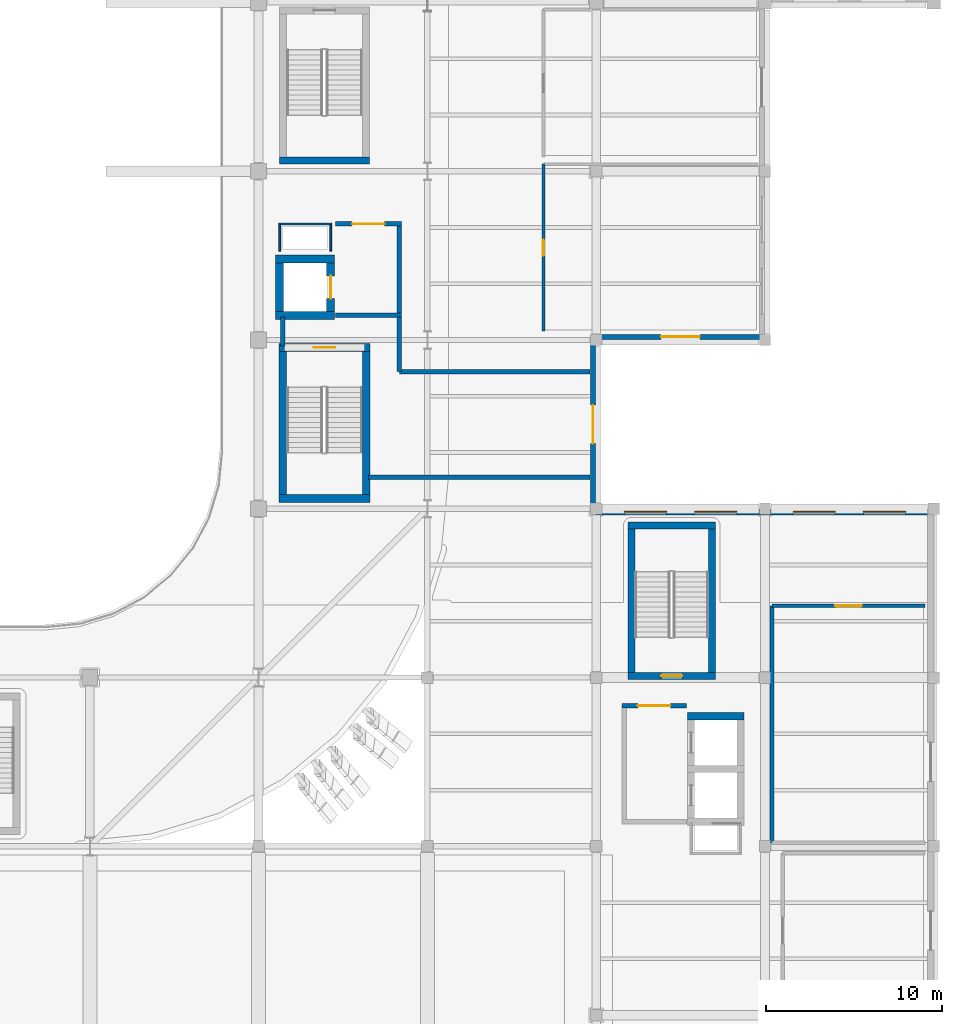
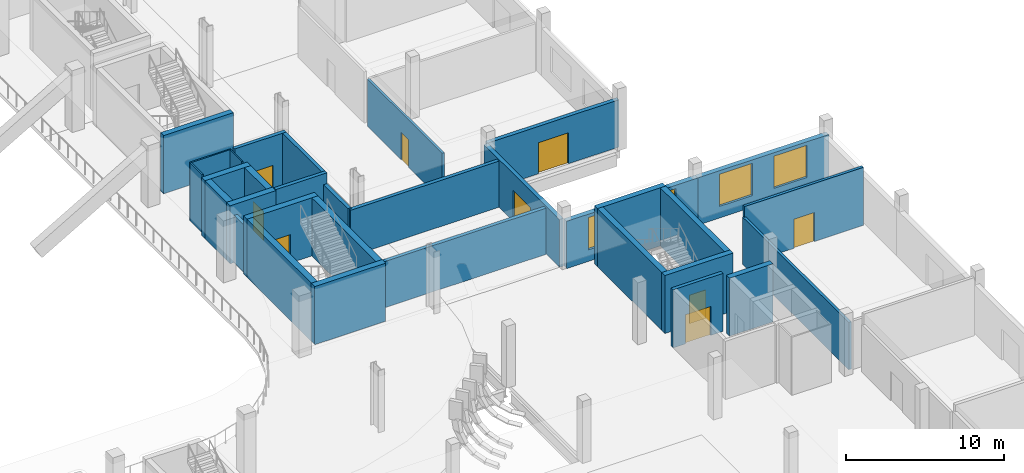
# One storey, part 54 of 100: 32 walls, 9 doors, 4 windows, 13 openings.
"""IFC4 building model written with IfcOpenShell, lengths in metres."""

from ifc_helpers import new_model, si_unit, direction, frame, frame_2d, origin, place, context, subcontext, project, spatial, rectangle, extrude, material, layer, layer_set, type_object, element, fill, save


model = new_model("IFC4")

# Units and contexts
model_context = context("Model", 3, precision=1e-05, world=origin(), true_north=direction((0.0, 1.0)))
body_context = subcontext(model_context, "Body", "Model", "MODEL_VIEW")
ifc_project = project(units=[si_unit("LENGTHUNIT", "METRE"), si_unit("AREAUNIT", "SQUARE_METRE"), si_unit("VOLUMEUNIT", "CUBIC_METRE"), si_unit("PLANEANGLEUNIT", "RADIAN"), si_unit("MASSUNIT", "GRAM", prefix="KILO")], contexts=[model_context])

# Site, building, storey
site_placement = place(None, origin())
site = spatial("IfcSite", under=ifc_project, at=site_placement, CompositionType="ELEMENT")
building_placement = place(site_placement, origin())
building = spatial("IfcBuilding", under=site, at=building_placement, Name="Caelomonte Colonnade Arena", CompositionType="ELEMENT")
storey_placement = place(building_placement, origin())
storey = spatial("IfcBuildingStorey", under=building, at=storey_placement, Name="L00", CompositionType="ELEMENT", Elevation=0.0)

# Wall, opening, door
ifc_material_1 = material(Name="Precast concrete C40/50", Category="concrete")
ifc_layer_1 = layer(ifc_material_1, 0.2900390625)
ifc_layer_set_1 = layer_set([ifc_layer_1], Name="Precast concrete C40/50")
wall_type_1 = type_object("IfcWallType", Name="ENV-WL-EXT29", PredefinedType="SOLIDWALL", material=ifc_layer_set_1)
wall_1_placement = place(storey_placement, frame((172.6201171875, 38.39990234375, 0.0), z_axis=(0.0, 0.0, 1.0), x_axis=(0.0, 1.0, 0.0)))
wall_1 = element("IfcWall", 1, at=wall_1_placement, inside=storey, type_object=wall_type_1, Name="L00 exterior wall EW-L00-0135", PredefinedType="SOLIDWALL", context=body_context, shape_type="SweptSolid", body=[
    extrude(rectangle(XDim=9.60009765625, YDim=0.2900390625, at=frame_2d((4.800048828125, 0.0))), origin(), (0.0, 0.0, 1.0), 3.699951171875),
])
opening_1_placement = place(wall_1_placement, frame((5.89990234375, 0.0, 0.0), z_axis=(0.0, 0.0, 1.0), x_axis=(-1.0, 0.0, 0.0)))
opening_1 = element("IfcOpeningElement", 2, at=opening_1_placement, cuts=wall_1, Name="Opening G15", PredefinedType="OPENING", context=body_context, shape_type="SweptSolid", body=[
    extrude(rectangle(XDim=2.199951171875, YDim=2.39990234375, at=frame_2d((1.10009765625, 1.199951171875))), frame((0.0, 0.155029296875, 0.0), z_axis=(0.0, -1.0, 0.0), x_axis=(1.0, 0.0, 0.0)), (0.0, 0.0, 1.0), 0.31005859375),
])
ifc_material_2 = material(Name="Painted galvanized hollow metal")
door_type_1 = type_object("IfcDoorType", Name="ENV-DR-G2", OperationType="DOUBLE_DOOR_SINGLE_SWING", PredefinedType="DOOR", material=ifc_material_2)
door_1_placement = place(opening_1_placement, origin())
door_1 = element("IfcDoor", 3, at=door_1_placement, inside=storey, type_object=door_type_1, Name="Pedestrian exit gate G15", OperationType="DOUBLE_DOOR_SINGLE_SWING", OverallHeight=2.39990234375, OverallWidth=2.199951171875, PredefinedType="DOOR", context=body_context, shape_type="SweptSolid", body=[
    extrude(rectangle(XDim=2.199951171875, YDim=2.39990234375, at=frame_2d((1.10009765625, 1.199951171875))), frame((0.0, 0.02490234375, 0.0), z_axis=(0.0, -1.0, 0.0), x_axis=(1.0, 0.0, 0.0)), (0.0, 0.0, 1.0), 0.050048828125),
])
fill(opening_1, door_1)

wall_2_placement = place(storey_placement, frame((172.800048828125, 48.179931640625, 0.0), z_axis=(0.0, 0.0, 1.0), x_axis=(1.0, 0.0, 0.0)))
wall_2 = element("IfcWall", 4, at=wall_2_placement, inside=storey, type_object=wall_type_1, Name="L00 exterior wall EW-L00-0136", PredefinedType="SOLIDWALL", context=body_context, shape_type="SweptSolid", body=[
    extrude(rectangle(XDim=9.599853515625, YDim=0.2900390625, at=frame_2d((4.7998046875, 0.0))), origin(), (0.0, 0.0, 1.0), 3.664306640625),
])
opening_2_placement = place(wall_2_placement, frame((5.89990234375, 0.0, 0.0), z_axis=(0.0, 0.0, 1.0), x_axis=(-1.0, 0.0, 0.0)))
opening_2 = element("IfcOpeningElement", 5, at=opening_2_placement, cuts=wall_2, Name="Opening G16", PredefinedType="OPENING", context=body_context, shape_type="SweptSolid", body=[
    extrude(rectangle(XDim=2.199951171875, YDim=2.39990234375, at=frame_2d((1.10009765625, 1.199951171875))), frame((0.0, 0.155029296875, 0.0), z_axis=(0.0, -1.0, 0.0), x_axis=(1.0, 0.0, 0.0)), (0.0, 0.0, 1.0), 0.31005859375),
])
door_2_placement = place(opening_2_placement, origin())
door_2 = element("IfcDoor", 6, at=door_2_placement, inside=storey, type_object=door_type_1, Name="Pedestrian exit gate G16", OperationType="DOUBLE_DOOR_SINGLE_SWING", OverallHeight=2.39990234375, OverallWidth=2.199951171875, PredefinedType="DOOR", context=body_context, shape_type="SweptSolid", body=[
    extrude(rectangle(XDim=2.199951171875, YDim=2.39990234375, at=frame_2d((1.10009765625, 1.199951171875))), frame((0.0, 0.02490234375, 0.0), z_axis=(0.0, -1.0, 0.0), x_axis=(1.0, 0.0, 0.0)), (0.0, 0.0, 1.0), 0.050048828125),
])
fill(opening_2, door_2)

# Wall, openings, windows
ifc_layer_2 = layer(ifc_material_1, 0.360107421875)
ifc_layer_set_2 = layer_set([ifc_layer_2], Name="Precast concrete C40/50")
wall_type_2 = type_object("IfcWallType", Name="ENV-WL-EXT36", PredefinedType="SOLIDWALL", material=ifc_layer_set_2)
wall_3_placement = place(storey_placement, frame((192.0, 38.219970703125, 0.0), z_axis=(0.0, 0.0, 1.0), x_axis=(-1.0, 0.0, 0.0)))
wall_3 = element("IfcWall", 7, at=wall_3_placement, inside=storey, type_object=wall_type_2, Name="L00 exterior wall EW-L00-0133", PredefinedType="SOLIDWALL", context=body_context, shape_type="SweptSolid", body=[
    extrude(rectangle(XDim=9.60009765625, YDim=0.360107421875, at=frame_2d((4.800048828125, 0.0))), origin(), (0.0, 0.0, 1.0), 3.664306640625),
])
opening_3_placement = place(wall_3_placement, frame((4.0, 0.0, 0.89990234375), z_axis=(0.0, 0.0, 1.0), x_axis=(-1.0, 0.0, 0.0)))
opening_3 = element("IfcOpeningElement", 8, at=opening_3_placement, cuts=wall_3, Name="Opening WN-01", PredefinedType="OPENING", context=body_context, shape_type="SweptSolid", body=[
    extrude(rectangle(XDim=2.39990234375, YDim=2.5, at=frame_2d((1.199951171875, 1.25))), frame((0.0, 0.18994140625, 0.0), z_axis=(0.0, -1.0, 0.0), x_axis=(1.0, 0.0, 0.0)), (0.0, 0.0, 1.0), 0.380126953125),
])
opening_4_placement = place(wall_3_placement, frame((8.0, 0.0, 0.89990234375), z_axis=(0.0, 0.0, 1.0), x_axis=(-1.0, 0.0, 0.0)))
opening_4 = element("IfcOpeningElement", 9, at=opening_4_placement, cuts=wall_3, Name="Opening WN-01", PredefinedType="OPENING", context=body_context, shape_type="SweptSolid", body=[
    extrude(rectangle(XDim=2.39990234375, YDim=2.5, at=frame_2d((1.199951171875, 1.25))), frame((0.0, 0.18994140625, 0.0), z_axis=(0.0, -1.0, 0.0), x_axis=(1.0, 0.0, 0.0)), (0.0, 0.0, 1.0), 0.380126953125),
])
ifc_material_3 = material(Name="Solar-control bronze low-E double glazing", Category="glass")
window_type = type_object("IfcWindowType", Name="ENV-WN-V3A", PartitioningType="DOUBLE_PANEL_VERTICAL", PredefinedType="WINDOW", material=ifc_material_3)
window_1_placement = place(opening_3_placement, origin())
window_1 = element("IfcWindow", 10, at=window_1_placement, inside=storey, type_object=window_type, Name="L00 facade window 1", OverallHeight=2.5, OverallWidth=2.39990234375, PartitioningType="SINGLE_PANEL", PredefinedType="WINDOW", context=body_context, shape_type="SweptSolid", body=[
    extrude(rectangle(XDim=2.39990234375, YDim=2.5, at=frame_2d((1.199951171875, 1.25))), frame((0.0, 0.030029296875, 0.0), z_axis=(0.0, -1.0, 0.0), x_axis=(1.0, 0.0, 0.0)), (0.0, 0.0, 1.0), 0.06005859375),
])
fill(opening_3, window_1)
window_2_placement = place(opening_4_placement, origin())
window_2 = element("IfcWindow", 11, at=window_2_placement, inside=storey, type_object=window_type, Name="L00 facade window 2", OverallHeight=2.5, OverallWidth=2.39990234375, PartitioningType="SINGLE_PANEL", PredefinedType="WINDOW", context=body_context, shape_type="SweptSolid", body=[
    extrude(rectangle(XDim=2.39990234375, YDim=2.5, at=frame_2d((1.199951171875, 1.25))), frame((0.0, 0.030029296875, 0.0), z_axis=(0.0, -1.0, 0.0), x_axis=(1.0, 0.0, 0.0)), (0.0, 0.0, 1.0), 0.06005859375),
])
fill(opening_4, window_2)

wall_4_placement = place(storey_placement, frame((182.39990234375, 38.219970703125, 0.0), z_axis=(0.0, 0.0, 1.0), x_axis=(-1.0, 0.0, 0.0)))
wall_4 = element("IfcWall", 12, at=wall_4_placement, inside=storey, type_object=wall_type_2, Name="L00 exterior wall EW-L00-0134", PredefinedType="SOLIDWALL", context=body_context, shape_type="SweptSolid", body=[
    extrude(rectangle(XDim=9.599853515625, YDim=0.360107421875, at=frame_2d((4.7998046875, 0.0))), origin(), (0.0, 0.0, 1.0), 3.664306640625),
])
opening_5_placement = place(wall_4_placement, frame((4.0, 0.0, 0.89990234375), z_axis=(0.0, 0.0, 1.0), x_axis=(-1.0, 0.0, 0.0)))
opening_5 = element("IfcOpeningElement", 13, at=opening_5_placement, cuts=wall_4, Name="Opening WN-01", PredefinedType="OPENING", context=body_context, shape_type="SweptSolid", body=[
    extrude(rectangle(XDim=2.39990234375, YDim=2.5, at=frame_2d((1.199951171875, 1.25))), frame((0.0, 0.18994140625, 0.0), z_axis=(0.0, -1.0, 0.0), x_axis=(1.0, 0.0, 0.0)), (0.0, 0.0, 1.0), 0.380126953125),
])
opening_6_placement = place(wall_4_placement, frame((8.0, 0.0, 0.89990234375), z_axis=(0.0, 0.0, 1.0), x_axis=(-1.0, 0.0, 0.0)))
opening_6 = element("IfcOpeningElement", 14, at=opening_6_placement, cuts=wall_4, Name="Opening WN-01", PredefinedType="OPENING", context=body_context, shape_type="SweptSolid", body=[
    extrude(rectangle(XDim=2.39990234375, YDim=2.5, at=frame_2d((1.199951171875, 1.25))), frame((0.0, 0.18994140625, 0.0), z_axis=(0.0, -1.0, 0.0), x_axis=(1.0, 0.0, 0.0)), (0.0, 0.0, 1.0), 0.380126953125),
])
window_3_placement = place(opening_5_placement, origin())
window_3 = element("IfcWindow", 15, at=window_3_placement, inside=storey, type_object=window_type, Name="L00 facade window 3", OverallHeight=2.5, OverallWidth=2.39990234375, PartitioningType="SINGLE_PANEL", PredefinedType="WINDOW", context=body_context, shape_type="SweptSolid", body=[
    extrude(rectangle(XDim=2.39990234375, YDim=2.5, at=frame_2d((1.199951171875, 1.25))), frame((0.0, 0.030029296875, 0.0), z_axis=(0.0, -1.0, 0.0), x_axis=(1.0, 0.0, 0.0)), (0.0, 0.0, 1.0), 0.06005859375),
])
fill(opening_5, window_3)
window_4_placement = place(opening_6_placement, origin())
window_4 = element("IfcWindow", 16, at=window_4_placement, inside=storey, type_object=window_type, Name="L00 facade window 4", OverallHeight=2.5, OverallWidth=2.39990234375, PartitioningType="SINGLE_PANEL", PredefinedType="WINDOW", context=body_context, shape_type="SweptSolid", body=[
    extrude(rectangle(XDim=2.39990234375, YDim=2.5, at=frame_2d((1.199951171875, 1.25))), frame((0.0, 0.030029296875, 0.0), z_axis=(0.0, -1.0, 0.0), x_axis=(1.0, 0.0, 0.0)), (0.0, 0.0, 1.0), 0.06005859375),
])
fill(opening_6, window_4)

# Wall
ifc_material_4 = material(Name="Concrete C40/50", Category="concrete")
ifc_layer_3 = layer(ifc_material_4, 0.260009765625)
ifc_layer_set_3 = layer_set([ifc_layer_3], Name="Concrete C40/50")
wall_type_3 = type_object("IfcWallType", Name="INT-WL-FW26", PredefinedType="SOLIDWALL", material=ifc_layer_set_3)
wall_5_placement = place(storey_placement, frame((157.969970703125, 49.39990234375, 0.0), z_axis=(0.0, 0.0, 1.0), x_axis=(1.0, 0.0, 0.0)))
element("IfcWall", 17, at=wall_5_placement, inside=storey, type_object=wall_type_3, Name="FW-C2-LB L00 south enclosure wall", PredefinedType="SOLIDWALL", context=body_context, shape_type="SweptSolid", body=[
    extrude(rectangle(XDim=3.760009765625, YDim=0.260009765625, at=frame_2d((1.8798828125, 0.0))), origin(), (0.0, 0.0, 1.0), 4.5),
])

# Wall, opening, door
wall_6_placement = place(storey_placement, frame((161.72998046875, 54.60009765625, 0.0), z_axis=(0.0, 0.0, 1.0), x_axis=(-1.0, 0.0, 0.0)))
wall_6 = element("IfcWall", 18, at=wall_6_placement, inside=storey, type_object=wall_type_3, Name="FW-C2-LB L00 north enclosure wall", PredefinedType="SOLIDWALL", context=body_context, shape_type="SweptSolid", body=[
    extrude(rectangle(XDim=3.760009765625, YDim=0.260009765625, at=frame_2d((1.8798828125, 0.0))), origin(), (0.0, 0.0, 1.0), 4.5),
])
opening_7_placement = place(wall_6_placement, frame((2.80517578125, 0.0, 0.0), z_axis=(0.0, 0.0, 1.0), x_axis=(-1.0, 0.0, 0.0)))
opening_7 = element("IfcOpeningElement", 19, at=opening_7_placement, cuts=wall_6, Name="Opening FD-2", PredefinedType="OPENING", context=body_context, shape_type="SweptSolid", body=[
    extrude(rectangle(XDim=1.85009765625, YDim=2.25, at=frame_2d((0.925048828125, 1.125))), frame((0.0, 0.139892578125, 0.0), z_axis=(0.0, -1.0, 0.0), x_axis=(1.0, 0.0, 0.0)), (0.0, 0.0, 1.0), 0.280029296875),
])
ifc_material_5 = material(Name="Fire-rated double steel door", Category="steel")
door_type_2 = type_object("IfcDoorType", Name="INT-DR-FD90B", OperationType="DOUBLE_DOOR_SINGLE_SWING", PredefinedType="DOOR", material=ifc_material_5)
door_3_placement = place(opening_7_placement, origin())
door_3 = element("IfcDoor", 20, at=door_3_placement, inside=storey, type_object=door_type_2, Name="Core C2 L00 lobby fire door", OperationType="DOUBLE_DOOR_SINGLE_SWING", OverallHeight=2.25, OverallWidth=1.85009765625, PredefinedType="DOOR", context=body_context, shape_type="SweptSolid", body=[
    extrude(rectangle(XDim=1.85009765625, YDim=2.25, at=frame_2d((0.925048828125, 1.125))), frame((0.0, 0.02490234375, 0.0), z_axis=(0.0, -1.0, 0.0), x_axis=(1.0, 0.0, 0.0)), (0.0, 0.0, 1.0), 0.050048828125),
])
fill(opening_7, door_3)

# Wall
wall_7_placement = place(storey_placement, frame((161.60009765625, 49.530029296875, 0.0), z_axis=(0.0, 0.0, 1.0), x_axis=(0.0, 1.0, 0.0)))
element("IfcWall", 21, at=wall_7_placement, inside=storey, type_object=wall_type_3, Name="FW-C2-LB L00 east enclosure wall", PredefinedType="SOLIDWALL", context=body_context, shape_type="SweptSolid", body=[
    extrude(rectangle(XDim=4.93994140625, YDim=0.260009765625, at=frame_2d((2.469970703125, 0.0))), origin(), (0.0, 0.0, 1.0), 4.5),
])

# Wall, opening, door
wall_8_placement = place(storey_placement, frame((177.929931640625, 27.199951171875, 0.0), z_axis=(0.0, 0.0, 1.0), x_axis=(-1.0, 0.0, 0.0)))
wall_8 = element("IfcWall", 22, at=wall_8_placement, inside=storey, type_object=wall_type_3, Name="FW-C5-LB L00 north enclosure wall", PredefinedType="SOLIDWALL", context=body_context, shape_type="SweptSolid", body=[
    extrude(rectangle(XDim=3.659912109375, YDim=0.260009765625, at=frame_2d((1.830078125, 0.0))), origin(), (0.0, 0.0, 1.0), 4.5),
])
opening_8_placement = place(wall_8_placement, frame((2.755126953125, 0.0, 0.0), z_axis=(0.0, 0.0, 1.0), x_axis=(-1.0, 0.0, 0.0)))
opening_8 = element("IfcOpeningElement", 23, at=opening_8_placement, cuts=wall_8, Name="Opening FD-2", PredefinedType="OPENING", context=body_context, shape_type="SweptSolid", body=[
    extrude(rectangle(XDim=1.85009765625, YDim=2.25, at=frame_2d((0.925048828125, 1.125))), frame((0.0, 0.139892578125, 0.0), z_axis=(0.0, -1.0, 0.0), x_axis=(1.0, 0.0, 0.0)), (0.0, 0.0, 1.0), 0.280029296875),
])
door_4_placement = place(opening_8_placement, origin())
door_4 = element("IfcDoor", 24, at=door_4_placement, inside=storey, type_object=door_type_2, Name="Core C5 L00 lobby fire door", OperationType="DOUBLE_DOOR_SINGLE_SWING", OverallHeight=2.25, OverallWidth=1.85009765625, PredefinedType="DOOR", context=body_context, shape_type="SweptSolid", body=[
    extrude(rectangle(XDim=1.85009765625, YDim=2.25, at=frame_2d((0.925048828125, 1.125))), frame((0.0, 0.02490234375, 0.0), z_axis=(0.0, -1.0, 0.0), x_axis=(1.0, 0.0, 0.0)), (0.0, 0.0, 1.0), 0.050048828125),
])
fill(opening_8, door_4)

# Walls
wall_9_placement = place(storey_placement, frame((154.97509765625, 47.64990234375, 0.0), z_axis=(0.0, 0.0, 1.0), x_axis=(0.0, 1.0, 0.0)))
element("IfcWall", 25, at=wall_9_placement, inside=storey, type_object=wall_type_3, Name="Protected Exit Lobby EP-02 west fire wall", PredefinedType="SOLIDWALL", context=body_context, shape_type="SweptSolid", body=[
    extrude(rectangle(XDim=1.670166015625, YDim=0.260009765625, at=frame_2d((0.8349609375, 0.0))), origin(), (0.0, 0.0, 1.0), 3.664306640625),
])
wall_10_placement = place(storey_placement, frame((161.60009765625, 49.320068359375, 0.0), z_axis=(0.0, 0.0, 1.0), x_axis=(0.0, -1.0, 0.0)))
element("IfcWall", 26, at=wall_10_placement, inside=storey, type_object=wall_type_3, Name="Protected Exit Lobby EP-02 north-east fire wall", PredefinedType="SOLIDWALL", context=body_context, shape_type="SweptSolid", body=[
    extrude(rectangle(XDim=3.1201171875, YDim=0.260009765625, at=frame_2d((1.56005859375, 0.0))), origin(), (0.0, 0.0, 1.0), 3.664306640625),
])
wall_11_placement = place(storey_placement, frame((161.60009765625, 46.199951171875, 0.0), z_axis=(0.0, 0.0, 1.0), x_axis=(1.0, 0.0, 0.0)))
element("IfcWall", 27, at=wall_11_placement, inside=storey, type_object=wall_type_3, Name="Protected Exit Lobby EP-02 north fire wall", PredefinedType="SOLIDWALL", context=body_context, shape_type="SweptSolid", body=[
    extrude(rectangle(XDim=10.85986328125, YDim=0.260009765625, at=frame_2d((5.429931640625, 0.0))), origin(), (0.0, 0.0, 1.0), 3.572998046875),
])
wall_12_placement = place(storey_placement, frame((159.85009765625, 40.199951171875, 0.0), z_axis=(0.0, 0.0, 1.0), x_axis=(1.0, 0.0, 0.0)))
element("IfcWall", 28, at=wall_12_placement, inside=storey, type_object=wall_type_3, Name="Protected Exit Lobby EP-02 south fire wall", PredefinedType="SOLIDWALL", context=body_context, shape_type="SweptSolid", body=[
    extrude(rectangle(XDim=12.60986328125, YDim=0.260009765625, at=frame_2d((6.304931640625, 0.0))), origin(), (0.0, 0.0, 1.0), 3.572998046875),
])
ifc_material_6 = material(Name="Service shaft lining partition")
ifc_layer_4 = layer(ifc_material_6, 0.10009765625)
ifc_layer_set_4 = layer_set([ifc_layer_4], Name="Service shaft lining partition")
wall_type_4 = type_object("IfcWallType", Name="INT-WL-PT10", PredefinedType="PARTITIONING", material=ifc_layer_set_4)
wall_13_placement = place(storey_placement, frame((157.75, 54.60009765625, 0.0), z_axis=(0.0, 0.0, 1.0), x_axis=(-1.0, 0.0, 0.0)))
element("IfcWall", 29, at=wall_13_placement, inside=storey, type_object=wall_type_4, Name="FW-C2-RS L00 north enclosure wall", PredefinedType="PARTITIONING", context=body_context, shape_type="SweptSolid", body=[
    extrude(rectangle(XDim=3.0, YDim=0.10009765625, at=frame_2d((1.5, 0.0))), origin(), (0.0, 0.0, 1.0), 4.5),
])
for number, where, z_axis, x_axis, name in (
    (30, (154.800048828125, 54.550048828125, 0.0), (0.0, 0.0, 1.0), (0.0, -1.0, 0.0), "FW-C2-RS L00 west enclosure wall"),
    (31, (157.699951171875, 53.050048828125, 0.0), (0.0, 0.0, 1.0), (0.0, 1.0, 0.0), "FW-C2-RS L00 east enclosure wall"),
):
    element("IfcWall", number, at=place(storey_placement, frame(where, z_axis=z_axis, x_axis=x_axis)), inside=storey, type_object=wall_type_4, Name=name, PredefinedType="PARTITIONING", context=body_context, shape_type="SweptSolid", body=[
        extrude(rectangle(XDim=1.5, YDim=0.10009765625, at=frame_2d((0.75, 0.0))), origin(), (0.0, 0.0, 1.0), 4.5),
    ])

# Wall, opening, door
ifc_material_7 = material(Name="Moisture-resistant WC partition")
ifc_layer_5 = layer(ifc_material_7, 0.159912109375)
ifc_layer_set_5 = layer_set([ifc_layer_5], Name="Moisture-resistant WC partition")
wall_type_5 = type_object("IfcWallType", Name="INT-WL-PT16", PredefinedType="PARTITIONING", material=ifc_layer_set_5)
wall_14_placement = place(storey_placement, frame((169.800048828125, 48.5, 0.0), z_axis=(0.0, 0.0, 1.0), x_axis=(0.0, 1.0, 0.0)))
wall_14 = element("IfcWall", 32, at=wall_14_placement, inside=storey, type_object=wall_type_5, Name="L00 Ground Spectator Restroom partition 75", PredefinedType="PARTITIONING", context=body_context, shape_type="SweptSolid", body=[
    extrude(rectangle(XDim=9.5, YDim=0.159912109375, at=frame_2d((4.75, 0.0))), origin(), (0.0, 0.0, 1.0), 3.664306640625),
])
opening_9_placement = place(wall_14_placement, frame((4.2900390625, 0.0, 0.0), z_axis=(0.0, 0.0, 1.0), x_axis=(1.0, 0.0, 0.0)))
opening_9 = element("IfcOpeningElement", 33, at=opening_9_placement, cuts=wall_14, Name="Opening D-L00-023", PredefinedType="OPENING", context=body_context, shape_type="SweptSolid", body=[
    extrude(rectangle(XDim=0.919921875, YDim=2.1201171875, at=frame_2d((0.4599609375, 1.06005859375))), frame((0.0, 0.08984375, 0.0), z_axis=(0.0, -1.0, 0.0), x_axis=(1.0, 0.0, 0.0)), (0.0, 0.0, 1.0), 0.179931640625),
])
ifc_material_8 = material(Name="Laminate restroom entrance door")
door_type_3 = type_object("IfcDoorType", Name="INT-DR-WC1", OperationType="NOTDEFINED", PredefinedType="DOOR", material=ifc_material_8)
door_5_placement = place(opening_9_placement, origin())
door_5 = element("IfcDoor", 34, at=door_5_placement, inside=storey, type_object=door_type_3, Name="L00 Ground Spectator Restroom door D-L00-023", OperationType="SINGLE_SWING_RIGHT", OverallHeight=2.1201171875, OverallWidth=0.919921875, PredefinedType="DOOR", context=body_context, shape_type="SweptSolid", body=[
    extrude(rectangle(XDim=0.919921875, YDim=2.1201171875, at=frame_2d((0.4599609375, 1.06005859375))), frame((0.0, 0.02490234375, 0.0), z_axis=(0.0, -1.0, 0.0), x_axis=(1.0, 0.0, 0.0)), (0.0, 0.0, 1.0), 0.050048828125),
])
fill(opening_9, door_5)

ifc_material_9 = material(Name="Fire-rated gypsum stud partition")
ifc_layer_6 = layer(ifc_material_9, 0.199951171875)
ifc_layer_set_6 = layer_set([ifc_layer_6], Name="Fire-rated gypsum stud partition")
wall_type_6 = type_object("IfcWallType", Name="INT-WL-PT20", PredefinedType="PARTITIONING", material=ifc_layer_set_6)
wall_15_placement = place(storey_placement, frame((182.800048828125, 32.8798828125, 0.0), z_axis=(0.0, 0.0, 1.0), x_axis=(1.0, 0.0, 0.0)))
wall_15 = element("IfcWall", 35, at=wall_15_placement, inside=storey, type_object=wall_type_6, Name="L00 VIP Accreditation Lounge partition 90", PredefinedType="PARTITIONING", context=body_context, shape_type="SweptSolid", body=[
    extrude(rectangle(XDim=8.699951171875, YDim=0.199951171875, at=frame_2d((4.35009765625, 0.0))), origin(), (0.0, 0.0, 1.0), 4.5),
])
opening_10_placement = place(wall_15_placement, frame((3.60009765625, 0.0, 0.0), z_axis=(0.0, 0.0, 1.0), x_axis=(1.0, 0.0, 0.0)))
opening_10 = element("IfcOpeningElement", 36, at=opening_10_placement, cuts=wall_15, Name="Opening D-L00-028", PredefinedType="OPENING", context=body_context, shape_type="SweptSolid", body=[
    extrude(rectangle(XDim=1.5, YDim=2.25, at=frame_2d((0.75, 1.125))), frame((0.0, 0.10986328125, 0.0), z_axis=(0.0, -1.0, 0.0), x_axis=(1.0, 0.0, 0.0)), (0.0, 0.0, 1.0), 0.219970703125),
])
ifc_material_10 = material(Name="Hardwood double club lounge door", Category="wood")
door_type_4 = type_object("IfcDoorType", Name="INT-DR-SU2", OperationType="DOUBLE_DOOR_SINGLE_SWING", PredefinedType="DOOR", material=ifc_material_10)
door_6_placement = place(opening_10_placement, origin())
door_6 = element("IfcDoor", 37, at=door_6_placement, inside=storey, type_object=door_type_4, Name="L00 VIP Accreditation Lounge door D-L00-028", OperationType="DOUBLE_DOOR_SINGLE_SWING", OverallHeight=2.25, OverallWidth=1.5, PredefinedType="DOOR", context=body_context, shape_type="SweptSolid", body=[
    extrude(rectangle(XDim=1.5, YDim=2.25, at=frame_2d((0.75, 1.125))), frame((0.0, 0.02490234375, 0.0), z_axis=(0.0, -1.0, 0.0), x_axis=(1.0, 0.0, 0.0)), (0.0, 0.0, 1.0), 0.050048828125),
])
fill(opening_10, door_6)

# Wall
wall_16_placement = place(storey_placement, frame((182.800048828125, 19.39990234375, 0.0), z_axis=(0.0, 0.0, 1.0), x_axis=(0.0, 1.0, 0.0)))
element("IfcWall", 38, at=wall_16_placement, inside=storey, type_object=wall_type_6, Name="L00 VIP Accreditation Lounge partition 92", PredefinedType="PARTITIONING", context=body_context, shape_type="SweptSolid", body=[
    extrude(rectangle(XDim=13.47998046875, YDim=0.199951171875, at=frame_2d((6.739990234375, 0.0))), origin(), (0.0, 0.0, 1.0), 3.664306640625),
])

# Wall, opening, door
ifc_material_11 = material(Name="Concrete C50/60", Category="concrete")
ifc_layer_7 = layer(ifc_material_11, 0.39990234375)
ifc_layer_set_7 = layer_set([ifc_layer_7], Name="Concrete C50/60")
wall_type_7 = type_object("IfcWallType", Name="INT-WL-SH40", PredefinedType="SHEAR", material=ifc_layer_set_7)
wall_17_placement = place(storey_placement, frame((174.60009765625, 28.89990234375, 0.0), z_axis=(0.0, 0.0, 1.0), x_axis=(1.0, 0.0, 0.0)))
wall_17 = element("IfcWall", 39, at=wall_17_placement, inside=storey, type_object=wall_type_7, Name="CW-C5-ST L00 south enclosure wall", PredefinedType="SHEAR", context=body_context, shape_type="SweptSolid", body=[
    extrude(rectangle(XDim=5.0, YDim=0.39990234375, at=frame_2d((2.5, 0.0))), origin(), (0.0, 0.0, 1.0), 4.5),
])
opening_11_placement = place(wall_17_placement, frame((3.099853515625, 0.0, 0.0), z_axis=(0.0, 0.0, 1.0), x_axis=(-1.0, 0.0, 0.0)))
opening_11 = element("IfcOpeningElement", 40, at=opening_11_placement, cuts=wall_17, Name="Opening FD-1", PredefinedType="OPENING", context=body_context, shape_type="SweptSolid", body=[
    extrude(rectangle(XDim=1.199951171875, YDim=2.199951171875, at=frame_2d((0.60009765625, 1.10009765625))), frame((0.0, 0.2099609375, 0.0), z_axis=(0.0, -1.0, 0.0), x_axis=(1.0, 0.0, 0.0)), (0.0, 0.0, 1.0), 0.419921875),
])
ifc_material_12 = material(Name="Fire-rated steel door", Category="steel")
door_type_5 = type_object("IfcDoorType", Name="INT-DR-FD90A", OperationType="NOTDEFINED", PredefinedType="DOOR", material=ifc_material_12)
door_7_placement = place(opening_11_placement, origin())
door_7 = element("IfcDoor", 41, at=door_7_placement, inside=storey, type_object=door_type_5, Name="Core C5 L00 exit stair fire door", OperationType="SINGLE_SWING_LEFT", OverallHeight=2.199951171875, OverallWidth=1.199951171875, PredefinedType="DOOR", context=body_context, shape_type="SweptSolid", body=[
    extrude(rectangle(XDim=1.199951171875, YDim=2.199951171875, at=frame_2d((0.60009765625, 1.10009765625))), frame((0.0, 0.02490234375, 0.0), z_axis=(0.0, -1.0, 0.0), x_axis=(1.0, 0.0, 0.0)), (0.0, 0.0, 1.0), 0.050048828125),
])
fill(opening_11, door_7)

# Walls
wall_18_placement = place(storey_placement, frame((179.60009765625, 37.449951171875, 0.0), z_axis=(0.0, 0.0, 1.0), x_axis=(-1.0, 0.0, 0.0)))
element("IfcWall", 42, at=wall_18_placement, inside=storey, type_object=wall_type_7, Name="CW-C5-ST L00 north enclosure wall", PredefinedType="SHEAR", context=body_context, shape_type="SweptSolid", body=[
    extrude(rectangle(XDim=5.0, YDim=0.39990234375, at=frame_2d((2.5, 0.0))), origin(), (0.0, 0.0, 1.0), 4.5),
])
for number, where, z_axis, x_axis, name in (
    (43, (174.800048828125, 37.25, 0.0), (0.0, 0.0, 1.0), (0.0, -1.0, 0.0), "CW-C5-ST L00 west enclosure wall"),
    (44, (179.39990234375, 29.10009765625, 0.0), (0.0, 0.0, 1.0), (0.0, 1.0, 0.0), "CW-C5-ST L00 east enclosure wall"),
):
    element("IfcWall", number, at=place(storey_placement, frame(where, z_axis=z_axis, x_axis=x_axis)), inside=storey, type_object=wall_type_7, Name=name, PredefinedType="SHEAR", context=body_context, shape_type="SweptSolid", body=[
        extrude(rectangle(XDim=8.14990234375, YDim=0.39990234375, at=frame_2d((4.074951171875, 0.0))), origin(), (0.0, 0.0, 1.0), 4.5),
    ])
wall_19_placement = place(storey_placement, frame((181.199951171875, 26.60009765625, 0.0), z_axis=(0.0, 0.0, 1.0), x_axis=(-1.0, 0.0, 0.0)))
element("IfcWall", 45, at=wall_19_placement, inside=storey, type_object=wall_type_7, Name="CW-C5-LF2 L00 north enclosure wall", PredefinedType="SHEAR", context=body_context, shape_type="SweptSolid", body=[
    extrude(rectangle(XDim=3.199951171875, YDim=0.39990234375, at=frame_2d((1.60009765625, 0.0))), origin(), (0.0, 0.0, 1.0), 4.5),
])
wall_20_placement = place(storey_placement, frame((154.800048828125, 58.199951171875, 0.0), z_axis=(0.0, 0.0, 1.0), x_axis=(1.0, 0.0, 0.0)))
element("IfcWall", 46, at=wall_20_placement, inside=storey, type_object=wall_type_7, Name="CW-ST-10 L00 south enclosure wall", PredefinedType="SHEAR", context=body_context, shape_type="SweptSolid", body=[
    extrude(rectangle(XDim=5.099853515625, YDim=0.39990234375, at=frame_2d((2.5498046875, 0.0))), origin(), (0.0, 0.0, 1.0), 4.5),
])
ifc_layer_8 = layer(ifc_material_11, 0.449951171875)
ifc_layer_set_8 = layer_set([ifc_layer_8], Name="Concrete C50/60")
wall_type_8 = type_object("IfcWallType", Name="INT-WL-SH45", PredefinedType="SHEAR", material=ifc_layer_set_8)
wall_21_placement = place(storey_placement, frame((154.75, 38.97509765625, 0.0), z_axis=(0.0, 0.0, 1.0), x_axis=(1.0, 0.0, 0.0)))
element("IfcWall", 47, at=wall_21_placement, inside=storey, type_object=wall_type_8, Name="CW-C2-ST L00 south enclosure wall", PredefinedType="SHEAR", context=body_context, shape_type="SweptSolid", body=[
    extrude(rectangle(XDim=5.199951171875, YDim=0.449951171875, at=frame_2d((2.60009765625, 0.0))), origin(), (0.0, 0.0, 1.0), 4.5),
])

# Wall, opening, door
wall_22_placement = place(storey_placement, frame((159.949951171875, 47.574951171875, 0.0), z_axis=(0.0, 0.0, 1.0), x_axis=(-1.0, 0.0, 0.0)))
wall_22 = element("IfcWall", 48, at=wall_22_placement, inside=storey, type_object=wall_type_8, Name="CW-C2-ST L00 north enclosure wall", PredefinedType="SHEAR", context=body_context, shape_type="SweptSolid", body=[
    extrude(rectangle(XDim=5.199951171875, YDim=0.449951171875, at=frame_2d((2.60009765625, 0.0))), origin(), (0.0, 0.0, 1.0), 4.5),
])
opening_12_placement = place(wall_22_placement, frame((3.199951171875, 0.0, 0.0), z_axis=(0.0, 0.0, 1.0), x_axis=(-1.0, 0.0, 0.0)))
opening_12 = element("IfcOpeningElement", 49, at=opening_12_placement, cuts=wall_22, Name="Opening FD-1", PredefinedType="OPENING", context=body_context, shape_type="SweptSolid", body=[
    extrude(rectangle(XDim=1.199951171875, YDim=2.199951171875, at=frame_2d((0.60009765625, 1.10009765625))), frame((0.0, 0.23486328125, 0.0), z_axis=(0.0, -1.0, 0.0), x_axis=(1.0, 0.0, 0.0)), (0.0, 0.0, 1.0), 0.469970703125),
])
door_8_placement = place(opening_12_placement, origin())
door_8 = element("IfcDoor", 50, at=door_8_placement, inside=storey, type_object=door_type_5, Name="Core C2 L00 exit stair fire door", OperationType="SINGLE_SWING_LEFT", OverallHeight=2.199951171875, OverallWidth=1.199951171875, PredefinedType="DOOR", context=body_context, shape_type="SweptSolid", body=[
    extrude(rectangle(XDim=1.199951171875, YDim=2.199951171875, at=frame_2d((0.60009765625, 1.10009765625))), frame((0.0, 0.02490234375, 0.0), z_axis=(0.0, -1.0, 0.0), x_axis=(1.0, 0.0, 0.0)), (0.0, 0.0, 1.0), 0.050048828125),
])
fill(opening_12, door_8)

# Walls
for number, where, z_axis, x_axis, name in (
    (51, (154.97509765625, 47.35009765625, 0.0), (0.0, 0.0, 1.0), (0.0, -1.0, 0.0), "CW-C2-ST L00 west enclosure wall"),
    (52, (159.72509765625, 39.199951171875, 0.0), (0.0, 0.0, 1.0), (0.0, 1.0, 0.0), "CW-C2-ST L00 east enclosure wall"),
):
    element("IfcWall", number, at=place(storey_placement, frame(where, z_axis=z_axis, x_axis=x_axis)), inside=storey, type_object=wall_type_8, Name=name, PredefinedType="SHEAR", context=body_context, shape_type="SweptSolid", body=[
        extrude(rectangle(XDim=8.150146484375, YDim=0.449951171875, at=frame_2d((4.0751953125, 0.0))), origin(), (0.0, 0.0, 1.0), 4.5),
    ])
for number, where, z_axis, x_axis, name in (
    (53, (154.574951171875, 49.39990234375, 0.0), (0.0, 0.0, 1.0), (1.0, 0.0, 0.0), "CW-C2-LF L00 south enclosure wall"),
    (54, (157.925048828125, 52.60009765625, 0.0), (0.0, 0.0, 1.0), (-1.0, 0.0, 0.0), "CW-C2-LF L00 north enclosure wall"),
):
    element("IfcWall", number, at=place(storey_placement, frame(where, z_axis=z_axis, x_axis=x_axis)), inside=storey, type_object=wall_type_8, Name=name, PredefinedType="SHEAR", context=body_context, shape_type="SweptSolid", body=[
        extrude(rectangle(XDim=3.35009765625, YDim=0.449951171875, at=frame_2d((1.675048828125, 0.0))), origin(), (0.0, 0.0, 1.0), 4.5),
    ])
wall_23_placement = place(storey_placement, frame((154.800048828125, 52.375, 0.0), z_axis=(0.0, 0.0, 1.0), x_axis=(0.0, -1.0, 0.0)))
element("IfcWall", 55, at=wall_23_placement, inside=storey, type_object=wall_type_8, Name="CW-C2-LF L00 west enclosure wall", PredefinedType="SHEAR", context=body_context, shape_type="SweptSolid", body=[
    extrude(rectangle(XDim=2.75, YDim=0.449951171875, at=frame_2d((1.375, 0.0))), origin(), (0.0, 0.0, 1.0), 4.5),
])

# Wall, opening, door
wall_24_placement = place(storey_placement, frame((157.699951171875, 49.625, 0.0), z_axis=(0.0, 0.0, 1.0), x_axis=(0.0, 1.0, 0.0)))
wall_24 = element("IfcWall", 56, at=wall_24_placement, inside=storey, type_object=wall_type_8, Name="CW-C2-LF L00 east enclosure wall", PredefinedType="SHEAR", context=body_context, shape_type="SweptSolid", body=[
    extrude(rectangle(XDim=2.75, YDim=0.449951171875, at=frame_2d((1.375, 0.0))), origin(), (0.0, 0.0, 1.0), 4.5),
])
opening_13_placement = place(wall_24_placement, frame((0.72509765625, 0.0, 0.0), z_axis=(0.0, 0.0, 1.0), x_axis=(1.0, 0.0, 0.0)))
opening_13 = element("IfcOpeningElement", 57, at=opening_13_placement, cuts=wall_24, Name="Opening LD-FL-02-L00", PredefinedType="OPENING", context=body_context, shape_type="SweptSolid", body=[
    extrude(rectangle(XDim=1.300048828125, YDim=2.25, at=frame_2d((0.64990234375, 1.125))), frame((0.0, 0.23486328125, 0.0), z_axis=(0.0, -1.0, 0.0), x_axis=(1.0, 0.0, 0.0)), (0.0, 0.0, 1.0), 0.469970703125),
])
ifc_material_13 = material(Name="Firefighting lift landing door")
door_type_6 = type_object("IfcDoorType", Name="INT-DR-LD2", OperationType="SLIDING_TO_RIGHT", PredefinedType="DOOR", material=ifc_material_13)
door_9_placement = place(opening_13_placement, origin())
door_9 = element("IfcDoor", 58, at=door_9_placement, inside=storey, type_object=door_type_6, Name="Lift FL-02 L00 sliding landing door", OperationType="SLIDING_TO_RIGHT", OverallHeight=2.25, OverallWidth=1.300048828125, PredefinedType="DOOR", context=body_context, shape_type="SweptSolid", body=[
    extrude(rectangle(XDim=1.300048828125, YDim=2.25, at=frame_2d((0.64990234375, 1.125))), frame((0.0, 0.02490234375, 0.0), z_axis=(0.0, -1.0, 0.0), x_axis=(1.0, 0.0, 0.0)), (0.0, 0.0, 1.0), 0.050048828125),
])
fill(opening_13, door_9)

save(model, "model.ifc")
